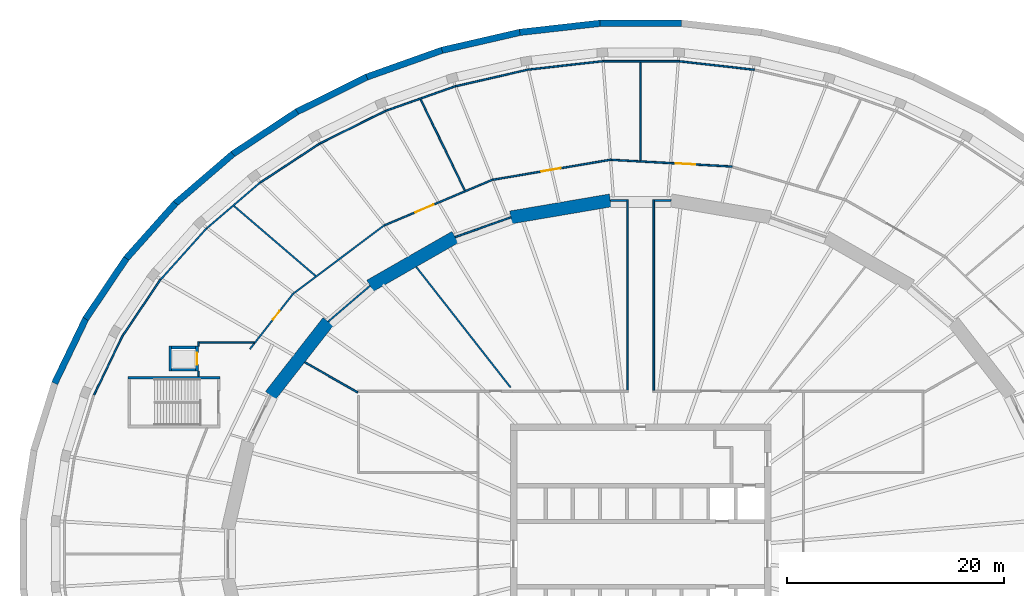
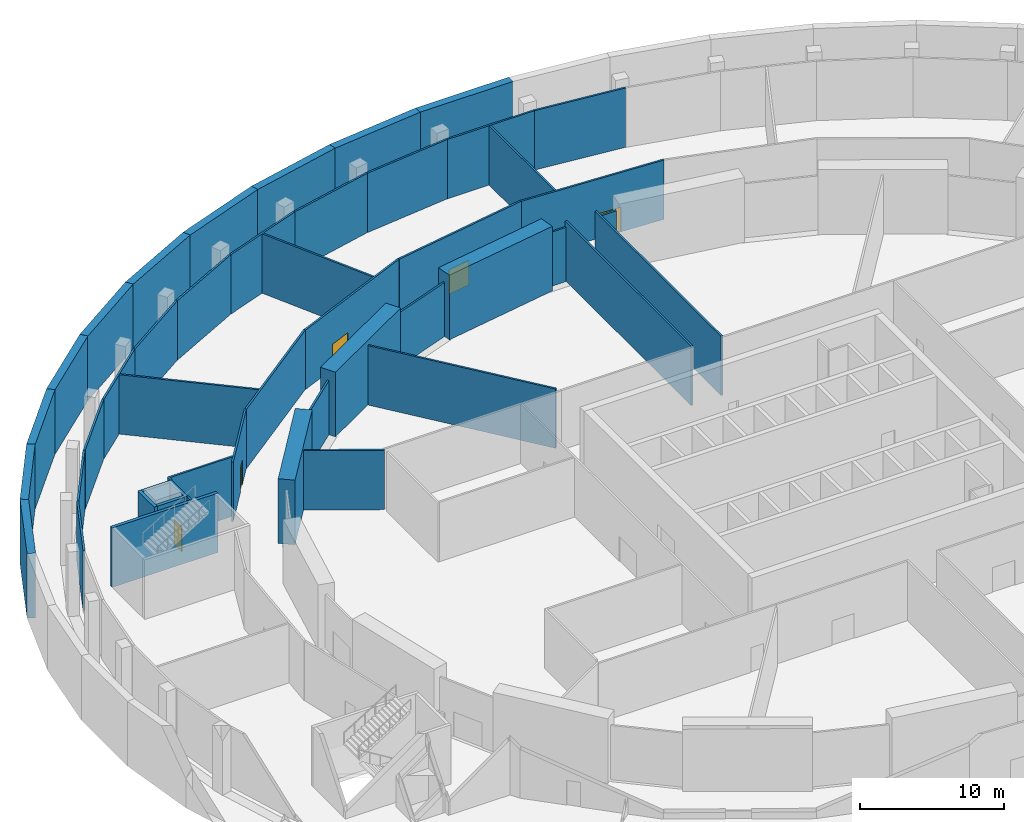
# One storey, part 10 of 14: 48 walls, 5 doors, 5 openings.
"""IFC4 building model written with IfcOpenShell, lengths in metres."""

from ifc_helpers import new_model, si_unit, direction, frame, frame_2d, origin, place, context, subcontext, project, spatial, polyline, rectangle, outline, extrude, material, layer, layer_set, type_object, element, fill, save


model = new_model("IFC4")

# Units and contexts
model_context = context("Model", 3, precision=1e-05, world=origin(), true_north=direction((0.0, 1.0)))
body_context = subcontext(model_context, "Body", "Model", "MODEL_VIEW")
ifc_project = project(units=[si_unit("LENGTHUNIT", "METRE"), si_unit("AREAUNIT", "SQUARE_METRE"), si_unit("VOLUMEUNIT", "CUBIC_METRE"), si_unit("PLANEANGLEUNIT", "RADIAN"), si_unit("MASSUNIT", "GRAM", prefix="KILO")], contexts=[model_context])

# Site, building, storey
site_placement = place(None, origin())
site = spatial("IfcSite", under=ifc_project, at=site_placement, CompositionType="ELEMENT")
building_placement = place(site_placement, origin())
building = spatial("IfcBuilding", under=site, at=building_placement, Name="Halqa Exchange Tower", CompositionType="ELEMENT")
storey_placement = place(building_placement, frame((0.0, 0.0, -9.5)))
storey = spatial("IfcBuildingStorey", under=building, at=storey_placement, Name="B2", CompositionType="ELEMENT", Elevation=-9.5)

# Walls
ifc_material_1 = material(Name="Fire-rated gypsum board")
ifc_layer_1 = layer(ifc_material_1, 0.14990234375)
ifc_layer_set_1 = layer_set([ifc_layer_1], Name="Fire-rated gypsum board")
wall_type_1 = type_object("IfcWallType", Name="Fire partition EI 60 150", PredefinedType="PARTITIONING", material=ifc_layer_set_1)
wall_1_placement = place(storey_placement, frame((-50.351806640625, 14.669189453125, 0.0), z_axis=(0.0, 0.0, 1.0), x_axis=(0.434723306584, 0.900564071409, 0.0)))
element("IfcWall", 1, at=wall_1_placement, inside=storey, type_object=wall_type_1, Name="B2-PWL-006", PredefinedType="PARTITIONING", context=body_context, shape_type="SweptSolid", body=[
    extrude(rectangle(XDim=6.09619140625, YDim=0.14990234375, at=frame_2d((3.048095703125, 0.0))), origin(), (0.0, 0.0, 1.0), 5.050048828125),
])
wall_2_placement = place(storey_placement, frame((-47.69091796875, 20.153076171875, 0.0), z_axis=(0.0, 0.0, 1.0), x_axis=(0.558812320082, 0.829294152231, 0.0)))
element("IfcWall", 2, at=wall_2_placement, inside=storey, type_object=wall_type_1, Name="B2-PWL-007", PredefinedType="PARTITIONING", context=body_context, shape_type="SweptSolid", body=[
    extrude(rectangle(XDim=6.2099609375, YDim=0.14990234375, at=frame_2d((3.10498046875, 0.0))), origin(), (0.0, 0.0, 1.0), 5.050048828125),
])
wall_3_placement = place(storey_placement, frame((-44.211181640625, 25.29541015625, 0.0), z_axis=(0.0, 0.0, 1.0), x_axis=(0.6673947824, 0.744704105283, 0.0)))
element("IfcWall", 3, at=wall_3_placement, inside=storey, type_object=wall_type_1, Name="B2-PWL-010", PredefinedType="PARTITIONING", context=body_context, shape_type="SweptSolid", body=[
    extrude(rectangle(XDim=6.338134765625, YDim=0.14990234375, at=frame_2d((3.1689453125, 0.0))), origin(), (0.0, 0.0, 1.0), 5.050048828125),
])
wall_4_placement = place(storey_placement, frame((-40.75, 16.3740234375, 0.0), z_axis=(0.0, 0.0, 1.0), x_axis=(0.0, 1.0, 0.0)))
element("IfcWall", 4, at=wall_4_placement, inside=storey, type_object=wall_type_1, Name="B2-PWL-017", PredefinedType="PARTITIONING", context=body_context, shape_type="SweptSolid", body=[
    extrude(rectangle(XDim=0.47607421875, YDim=0.14990234375, at=frame_2d((0.238037109375, 0.0))), origin(), (0.0, 0.0, 1.0), 5.050048828125),
])
wall_5_placement = place(storey_placement, frame((-40.75, 19.14990234375, 0.0), z_axis=(0.0, 0.0, 1.0), x_axis=(0.0, 1.0, 0.0)))
element("IfcWall", 5, at=wall_5_placement, inside=storey, type_object=wall_type_1, Name="B2-PWL-018", PredefinedType="PARTITIONING", context=body_context, shape_type="SweptSolid", body=[
    extrude(rectangle(XDim=0.425048828125, YDim=0.14990234375, at=frame_2d((0.21240234375, 0.0))), origin(), (0.0, 0.0, 1.0), 5.050048828125),
])
wall_6_placement = place(storey_placement, frame((-40.675048828125, 19.5, 0.0), z_axis=(0.0, 0.0, 1.0), x_axis=(1.0, 0.0, 0.0)))
element("IfcWall", 6, at=wall_6_placement, inside=storey, type_object=wall_type_1, Name="B2-PWL-019", PredefinedType="PARTITIONING", context=body_context, shape_type="SweptSolid", body=[
    extrude(rectangle(XDim=5.068115234375, YDim=0.14990234375, at=frame_2d((2.5341796875, 0.0))), origin(), (0.0, 0.0, 1.0), 5.050048828125),
])
wall_7_placement = place(storey_placement, frame((-39.97314453125, 30.00732421875, 0.0), z_axis=(0.0, 0.0, 1.0), x_axis=(0.759038455419, 0.651045791934, 0.0)))
element("IfcWall", 7, at=wall_7_placement, inside=storey, type_object=wall_type_1, Name="B2-PWL-022", PredefinedType="PARTITIONING", context=body_context, shape_type="SweptSolid", body=[
    extrude(rectangle(XDim=6.479248046875, YDim=0.14990234375, at=frame_2d((3.23974609375, 0.0))), origin(), (0.0, 0.0, 1.0), 5.050048828125),
])

# Wall, opening, door
wall_8_placement = place(storey_placement, frame((-35.99609375, 18.880859375, 0.0), z_axis=(0.0, 0.0, 1.0), x_axis=(0.615457986142, 0.788169694478, 0.0)))
wall_8 = element("IfcWall", 8, at=wall_8_placement, inside=storey, type_object=wall_type_1, Name="B2-PWL-028", PredefinedType="PARTITIONING", context=body_context, shape_type="SweptSolid", body=[
    extrude(rectangle(XDim=6.544921875, YDim=0.14990234375, at=frame_2d((3.2724609375, 0.0))), origin(), (0.0, 0.0, 1.0), 5.050048828125),
])
opening_1_placement = place(wall_8_placement, frame((3.453857421875, 0.0, 0.0)))
opening_1 = element("IfcOpeningElement", 9, at=opening_1_placement, cuts=wall_8, Name="Opening B2-27", PredefinedType="OPENING", context=body_context, shape_type="SweptSolid", body=[
    extrude(rectangle(XDim=1.0, YDim=2.10009765625, at=frame_2d((0.5, 1.050048828125))), frame((0.0, 0.0869140625, 0.0), z_axis=(0.0, -1.0, 0.0), x_axis=(1.0, 0.0, 0.0)), (0.0, 0.0, 1.0), 0.173828125),
])
ifc_material_2 = material(Name="Steel fire door leaf", Category="steel")
door_type_1 = type_object("IfcDoorType", Name="Fire door FD30S 1000 x 2100", OperationType="SINGLE_SWING_LEFT", PredefinedType="DOOR", material=ifc_material_2)
door_1_placement = place(opening_1_placement, origin())
door_1 = element("IfcDoor", 10, at=door_1_placement, inside=storey, type_object=door_type_1, Name="B2-IDR-027", OperationType="SINGLE_SWING_RIGHT", OverallHeight=2.10009765625, OverallWidth=1.0, PredefinedType="DOOR", context=body_context, shape_type="SweptSolid", body=[
    extrude(rectangle(XDim=1.0, YDim=2.10009765625, at=frame_2d((0.5, 1.050048828125))), frame((0.0, 0.02490234375, 0.0), z_axis=(0.0, -1.0, 0.0), x_axis=(1.0, 0.0, 0.0)), (0.0, 0.0, 1.0), 0.050048828125),
])
fill(opening_1, door_1)

# Walls
wall_9_placement = place(storey_placement, frame((-35.048583984375, 34.217041015625, 0.0), z_axis=(0.0, 0.0, 1.0), x_axis=(0.83553583791, 0.549435950378, 0.0)))
element("IfcWall", 11, at=wall_9_placement, inside=storey, type_object=wall_type_1, Name="B2-PWL-030", PredefinedType="PARTITIONING", context=body_context, shape_type="SweptSolid", body=[
    extrude(rectangle(XDim=6.6064453125, YDim=0.14990234375, at=frame_2d((3.30322265625, 0.0))), origin(), (0.0, 0.0, 1.0), 5.050048828125),
])
wall_10_placement = place(storey_placement, frame((-31.947265625, 24.022216796875, 0.0), z_axis=(0.0, 0.0, 1.0), x_axis=(0.799194171191, 0.601072937949, 0.0)))
element("IfcWall", 12, at=wall_10_placement, inside=storey, type_object=wall_type_1, Name="B2-PWL-032", PredefinedType="PARTITIONING", context=body_context, shape_type="SweptSolid", body=[
    extrude(rectangle(XDim=10.443603515625, YDim=0.14990234375, at=frame_2d((5.2216796875, 0.0))), origin(), (0.0, 0.0, 1.0), 5.050048828125),
])
wall_11_placement = place(storey_placement, frame((-29.947265625, 25.619140625, 0.0), z_axis=(0.0, 0.0, 1.0), x_axis=(-0.759265306208, 0.650781218836, 0.0)))
element("IfcWall", 13, at=wall_11_placement, inside=storey, type_object=wall_type_1, Name="B2-PWL-034", PredefinedType="PARTITIONING", context=body_context, shape_type="SweptSolid", body=[
    extrude(outline(polyline([(-0.0166015625, -0.074951171875), (9.888427734375, -0.074951171875), (9.911376953125, 0.074951171875), (0.0166015625, 0.074951171875), (-0.0166015625, -0.074951171875)])), origin(), (0.0, 0.0, 1.0), 5.050048828125),
])
wall_12_placement = place(storey_placement, frame((-29.5234375, 37.837890625, 0.0), z_axis=(0.0, 0.0, 1.0), x_axis=(0.895909442692, 0.444236727991, 0.0)))
element("IfcWall", 14, at=wall_12_placement, inside=storey, type_object=wall_type_1, Name="B2-PWL-036", PredefinedType="PARTITIONING", context=body_context, shape_type="SweptSolid", body=[
    extrude(rectangle(XDim=6.730712890625, YDim=0.14990234375, at=frame_2d((3.365234375, 0.0))), origin(), (0.0, 0.0, 1.0), 5.050048828125),
])
wall_13_placement = place(storey_placement, frame((-26.07421875, 14.88232421875, 0.0), z_axis=(0.0, 0.0, 1.0), x_axis=(-0.868133416031, 0.496330909746, 0.0)))
element("IfcWall", 15, at=wall_13_placement, inside=storey, type_object=wall_type_1, Name="B2-PWL-043", PredefinedType="PARTITIONING", context=body_context, shape_type="SweptSolid", body=[
    extrude(outline(polyline([(0.0, -0.074951171875), (5.604248046875, -0.074951171875), (5.625732421875, 0.074951171875), (0.0, 0.074951171875), (0.0, -0.074951171875)])), origin(), (0.0, 0.0, 1.0), 5.050048828125),
])
wall_14_placement = place(storey_placement, frame((-24.931884765625, 24.70849609375, 0.0), z_axis=(0.0, 0.0, 1.0), x_axis=(-0.760084552743, -0.649824185978, 0.0)))
element("IfcWall", 16, at=wall_14_placement, inside=storey, type_object=wall_type_1, Name="B2-PWL-045", PredefinedType="PARTITIONING", context=body_context, shape_type="SweptSolid", body=[
    extrude(outline(polyline([(-0.01416015625, -0.074951171875), (5.09033203125, -0.074951171875), (5.0595703125, 0.074951171875), (0.01416015625, 0.074951171875), (-0.01416015625, -0.074951171875)])), origin(), (0.0, 0.0, 1.0), 4.60009765625),
])

# Wall, opening, door
wall_15_placement = place(storey_placement, frame((-23.58642578125, 30.279541015625, 0.0), z_axis=(0.0, 0.0, 1.0), x_axis=(0.920903415875, 0.389790839591, 0.0)))
wall_15 = element("IfcWall", 17, at=wall_15_placement, inside=storey, type_object=wall_type_1, Name="B2-PWL-046", PredefinedType="PARTITIONING", context=body_context, shape_type="SweptSolid", body=[
    extrude(rectangle(XDim=10.822998046875, YDim=0.14990234375, at=frame_2d((5.41162109375, 0.0))), origin(), (0.0, 0.0, 1.0), 5.050048828125),
])
opening_2_placement = place(wall_15_placement, frame((3.09130859375, 0.0, 0.0)))
opening_2 = element("IfcOpeningElement", 18, at=opening_2_placement, cuts=wall_15, Name="Opening B2-26", PredefinedType="OPENING", context=body_context, shape_type="SweptSolid", body=[
    extrude(rectangle(XDim=1.800048828125, YDim=2.10009765625, at=frame_2d((0.89990234375, 1.050048828125))), frame((0.0, 0.0869140625, 0.0), z_axis=(0.0, -1.0, 0.0), x_axis=(1.0, 0.0, 0.0)), (0.0, 0.0, 1.0), 0.173828125),
])
door_type_2 = type_object("IfcDoorType", Name="Fire door FD30S double 1800 x 2100", OperationType="DOUBLE_DOOR_SINGLE_SWING", PredefinedType="DOOR", material=ifc_material_2)
door_2_placement = place(opening_2_placement, frame((1.800048828125, 0.0, 0.0), z_axis=(0.0, 0.0, 1.0), x_axis=(-1.0, 0.0, 0.0)))
door_2 = element("IfcDoor", 19, at=door_2_placement, inside=storey, type_object=door_type_2, Name="B2-IDR-026", OperationType="DOUBLE_DOOR_SINGLE_SWING", OverallHeight=2.10009765625, OverallWidth=1.800048828125, PredefinedType="DOOR", context=body_context, shape_type="SweptSolid", body=[
    extrude(rectangle(XDim=1.800048828125, YDim=2.10009765625, at=frame_2d((0.89990234375, 1.050048828125))), frame((0.0, 0.02490234375, 0.0), z_axis=(0.0, -1.0, 0.0), x_axis=(1.0, 0.0, 0.0)), (0.0, 0.0, 1.0), 0.050048828125),
])
fill(opening_2, door_2)

# Walls
wall_16_placement = place(storey_placement, frame((-23.489501953125, 40.818603515625, 0.0), z_axis=(0.0, 0.0, 1.0), x_axis=(0.942678523295, 0.333702265079, 0.0)))
element("IfcWall", 20, at=wall_16_placement, inside=storey, type_object=wall_type_1, Name="B2-PWL-049", PredefinedType="PARTITIONING", context=body_context, shape_type="SweptSolid", body=[
    extrude(rectangle(XDim=6.831787109375, YDim=0.14990234375, at=frame_2d((3.416015625, 0.0))), origin(), (0.0, 0.0, 1.0), 5.050048828125),
])
wall_17_placement = place(storey_placement, frame((-20.679931640625, 26.449951171875, 0.0), z_axis=(0.0, 0.0, 1.0), x_axis=(0.616465586388, -0.787381851962, 0.0)))
element("IfcWall", 21, at=wall_17_placement, inside=storey, type_object=wall_type_1, Name="B2-PWL-051", PredefinedType="PARTITIONING", context=body_context, shape_type="SweptSolid", body=[
    extrude(outline(polyline([(-0.010986328125, -0.074951171875), (14.099853515625, -0.074951171875), (14.099853515625, 0.074951171875), (0.010986328125, 0.074951171875), (-0.010986328125, -0.074951171875)])), origin(), (0.0, 0.0, 1.0), 5.050048828125),
])
wall_18_placement = place(storey_placement, frame((-17.046630859375, 43.089111328125, 0.0), z_axis=(0.0, 0.0, 1.0), x_axis=(0.974487031509, 0.224443813504, 0.0)))
element("IfcWall", 22, at=wall_18_placement, inside=storey, type_object=wall_type_1, Name="B2-PWL-054", PredefinedType="PARTITIONING", context=body_context, shape_type="SweptSolid", body=[
    extrude(rectangle(XDim=6.90625, YDim=0.14990234375, at=frame_2d((3.453125, 0.0))), origin(), (0.0, 0.0, 1.0), 5.050048828125),
])
wall_19_placement = place(storey_placement, frame((-16.201904296875, 33.485595703125, 0.0), z_axis=(0.0, 0.0, 1.0), x_axis=(-0.435764801027, 0.900060574731, 0.0)))
element("IfcWall", 23, at=wall_19_placement, inside=storey, type_object=wall_type_1, Name="B2-PWL-057", PredefinedType="PARTITIONING", context=body_context, shape_type="SweptSolid", body=[
    extrude(outline(polyline([(-0.00390625, -0.074951171875), (9.31884765625, -0.074951171875), (9.33544921875, 0.074951171875), (0.00390625, 0.074951171875), (-0.00390625, -0.074951171875)])), origin(), (0.0, 0.0, 1.0), 5.050048828125),
])

# Wall, opening, door
wall_20_placement = place(storey_placement, frame((-13.61083984375, 34.476806640625, 0.0), z_axis=(0.0, 0.0, 1.0), x_axis=(0.985800134635, 0.16792288276, 0.0)))
wall_20 = element("IfcWall", 24, at=wall_20_placement, inside=storey, type_object=wall_type_1, Name="B2-PWL-060", PredefinedType="PARTITIONING", context=body_context, shape_type="SweptSolid", body=[
    extrude(rectangle(XDim=11.07421875, YDim=0.14990234375, at=frame_2d((5.537109375, 0.0))), origin(), (0.0, 0.0, 1.0), 5.050048828125),
])
opening_3_placement = place(wall_20_placement, frame((4.5380859375, 0.0, 0.0)))
opening_3 = element("IfcOpeningElement", 25, at=opening_3_placement, cuts=wall_20, Name="Opening B2-25", PredefinedType="OPENING", context=body_context, shape_type="SweptSolid", body=[
    extrude(rectangle(XDim=1.800048828125, YDim=2.10009765625, at=frame_2d((0.89990234375, 1.050048828125))), frame((0.0, 0.0869140625, 0.0), z_axis=(0.0, -1.0, 0.0), x_axis=(1.0, 0.0, 0.0)), (0.0, 0.0, 1.0), 0.173828125),
])
door_3_placement = place(opening_3_placement, origin())
door_3 = element("IfcDoor", 26, at=door_3_placement, inside=storey, type_object=door_type_2, Name="B2-IDR-025", OperationType="DOUBLE_DOOR_SINGLE_SWING", OverallHeight=2.10009765625, OverallWidth=1.800048828125, PredefinedType="DOOR", context=body_context, shape_type="SweptSolid", body=[
    extrude(rectangle(XDim=1.800048828125, YDim=2.10009765625, at=frame_2d((0.89990234375, 1.050048828125))), frame((0.0, 0.02490234375, 0.0), z_axis=(0.0, -1.0, 0.0), x_axis=(1.0, 0.0, 0.0)), (0.0, 0.0, 1.0), 0.050048828125),
])
fill(opening_3, door_3)

# Walls
wall_21_placement = place(storey_placement, frame((-11.966796875, 31.01123046875, 0.0), z_axis=(0.0, 0.0, 1.0), x_axis=(-0.942814385805, -0.333318217204, 0.0)))
element("IfcWall", 27, at=wall_21_placement, inside=storey, type_object=wall_type_1, Name="B2-PWL-061", PredefinedType="PARTITIONING", context=body_context, shape_type="SweptSolid", body=[
    extrude(outline(polyline([(-0.012939453125, -0.074951171875), (5.448486328125, -0.074951171875), (5.421142578125, 0.074951171875), (0.012939453125, 0.074951171875), (-0.012939453125, -0.074951171875)])), origin(), (0.0, 0.0, 1.0), 4.60009765625),
])
wall_22_placement = place(storey_placement, frame((-10.31494140625, 44.629638671875, 0.0), z_axis=(0.0, 0.0, 1.0), x_axis=(0.993688681101, 0.112173103067, 0.0)))
element("IfcWall", 28, at=wall_22_placement, inside=storey, type_object=wall_type_1, Name="B2-PWL-064", PredefinedType="PARTITIONING", context=body_context, shape_type="SweptSolid", body=[
    extrude(rectangle(XDim=6.953857421875, YDim=0.14990234375, at=frame_2d((3.47705078125, 0.0))), origin(), (0.0, 0.0, 1.0), 5.050048828125),
])
wall_23_placement = place(storey_placement, frame((-3.404541015625, 45.39990234375, 0.0), z_axis=(0.0, 0.0, 1.0), x_axis=(1.0, 0.0, 0.0)))
element("IfcWall", 29, at=wall_23_placement, inside=storey, type_object=wall_type_1, Name="B2-PWL-068", PredefinedType="PARTITIONING", context=body_context, shape_type="SweptSolid", body=[
    extrude(rectangle(XDim=6.97998046875, YDim=0.14990234375, at=frame_2d((3.489990234375, 0.0))), origin(), (0.0, 0.0, 1.0), 5.050048828125),
])

# Wall, opening, door
wall_24_placement = place(storey_placement, frame((-2.691162109375, 36.314453125, 0.0), z_axis=(0.0, 0.0, 1.0), x_axis=(0.998446820284, -0.055713078034, 0.0)))
wall_24 = element("IfcWall", 30, at=wall_24_placement, inside=storey, type_object=wall_type_1, Name="B2-PWL-070", PredefinedType="PARTITIONING", context=body_context, shape_type="SweptSolid", body=[
    extrude(rectangle(XDim=11.126220703125, YDim=0.14990234375, at=frame_2d((5.56298828125, 0.0))), origin(), (0.0, 0.0, 1.0), 5.050048828125),
])
opening_4_placement = place(wall_24_placement, frame((5.94677734375, 0.0, 0.0)))
opening_4 = element("IfcOpeningElement", 31, at=opening_4_placement, cuts=wall_24, Name="Opening B2-24", PredefinedType="OPENING", context=body_context, shape_type="SweptSolid", body=[
    extrude(rectangle(XDim=1.800048828125, YDim=2.10009765625, at=frame_2d((0.89990234375, 1.050048828125))), frame((0.0, 0.0869140625, 0.0), z_axis=(0.0, -1.0, 0.0), x_axis=(1.0, 0.0, 0.0)), (0.0, 0.0, 1.0), 0.173828125),
])
door_4_placement = place(opening_4_placement, origin())
door_4 = element("IfcDoor", 32, at=door_4_placement, inside=storey, type_object=door_type_2, Name="B2-IDR-024", OperationType="DOUBLE_DOOR_SINGLE_SWING", OverallHeight=2.10009765625, OverallWidth=1.800048828125, PredefinedType="DOOR", context=body_context, shape_type="SweptSolid", body=[
    extrude(rectangle(XDim=1.800048828125, YDim=2.10009765625, at=frame_2d((0.89990234375, 1.050048828125))), frame((0.0, 0.02490234375, 0.0), z_axis=(0.0, -1.0, 0.0), x_axis=(1.0, 0.0, 0.0)), (0.0, 0.0, 1.0), 0.050048828125),
])
fill(opening_4, door_4)

# Walls
wall_25_placement = place(storey_placement, frame((-1.199951171875, 15.074951171875, 0.0), z_axis=(0.0, 0.0, 1.0), x_axis=(0.0, 1.0, 0.0)))
element("IfcWall", 33, at=wall_25_placement, inside=storey, type_object=wall_type_1, Name="B2-PWL-073", PredefinedType="PARTITIONING", context=body_context, shape_type="SweptSolid", body=[
    extrude(rectangle(XDim=17.570068359375, YDim=0.14990234375, at=frame_2d((8.78515625, 0.0))), origin(), (0.0, 0.0, 1.0), 5.050048828125),
])
wall_26_placement = place(storey_placement, frame((-1.27490234375, 32.570068359375, 0.0), z_axis=(0.0, 0.0, 1.0), x_axis=(-1.0, 0.0, 0.0)))
element("IfcWall", 34, at=wall_26_placement, inside=storey, type_object=wall_type_1, Name="B2-PWL-074", PredefinedType="PARTITIONING", context=body_context, shape_type="SweptSolid", body=[
    extrude(outline(polyline([(0.0, -0.074951171875), (1.52587890625, -0.074951171875), (1.50048828125, 0.074951171875), (0.0, 0.074951171875), (0.0, -0.074951171875)])), origin(), (0.0, 0.0, 1.0), 4.60009765625),
])
wall_27_placement = place(storey_placement, frame((0.0, 36.238525390625, 0.0), z_axis=(0.0, 0.0, 1.0), x_axis=(0.0, 1.0, 0.0)))
element("IfcWall", 35, at=wall_27_placement, inside=storey, type_object=wall_type_1, Name="B2-PWL-076", PredefinedType="PARTITIONING", context=body_context, shape_type="SweptSolid", body=[
    extrude(outline(polyline([(-0.004150390625, -0.074951171875), (9.08642578125, -0.074951171875), (9.08642578125, 0.074951171875), (0.004150390625, 0.074951171875), (-0.004150390625, -0.074951171875)])), origin(), (0.0, 0.0, 1.0), 5.050048828125),
])
wall_28_placement = place(storey_placement, frame((1.199951171875, 32.64501953125, 0.0), z_axis=(0.0, 0.0, 1.0), x_axis=(0.0, -1.0, 0.0)))
element("IfcWall", 36, at=wall_28_placement, inside=storey, type_object=wall_type_1, Name="B2-PWL-081", PredefinedType="PARTITIONING", context=body_context, shape_type="SweptSolid", body=[
    extrude(rectangle(XDim=17.570068359375, YDim=0.14990234375, at=frame_2d((8.78515625, 0.0))), origin(), (0.0, 0.0, 1.0), 5.050048828125),
])
wall_29_placement = place(storey_placement, frame((2.7880859375, 32.570068359375, 0.0), z_axis=(0.0, 0.0, 1.0), x_axis=(-1.0, 0.0, 0.0)))
element("IfcWall", 37, at=wall_29_placement, inside=storey, type_object=wall_type_1, Name="B2-PWL-082", PredefinedType="PARTITIONING", context=body_context, shape_type="SweptSolid", body=[
    extrude(outline(polyline([(-0.0126953125, -0.074951171875), (1.51318359375, -0.074951171875), (1.51318359375, 0.074951171875), (0.0126953125, 0.074951171875), (-0.0126953125, -0.074951171875)])), origin(), (0.0, 0.0, 1.0), 4.60009765625),
])
wall_30_placement = place(storey_placement, frame((3.574951171875, 45.390380859375, 0.0), z_axis=(0.0, 0.0, 1.0), x_axis=(0.993689122847, -0.112169189779, 0.0)))
element("IfcWall", 38, at=wall_30_placement, inside=storey, type_object=wall_type_1, Name="B2-PWL-083", PredefinedType="PARTITIONING", context=body_context, shape_type="SweptSolid", body=[
    extrude(rectangle(XDim=6.9541015625, YDim=0.14990234375, at=frame_2d((3.47705078125, 0.0))), origin(), (0.0, 0.0, 1.0), 5.050048828125),
])
ifc_material_3 = material(Name="Gypsum board")
ifc_layer_2 = layer(ifc_material_3, 0.25)
ifc_layer_set_2 = layer_set([ifc_layer_2], Name="Gypsum board")
wall_type_2 = type_object("IfcWallType", Name="Penthouse riser wall 250 gypsum", PredefinedType="PARTITIONING", material=ifc_layer_set_2)
wall_31_placement = place(storey_placement, frame((-43.324951171875, 16.85009765625, 0.0), z_axis=(0.0, 0.0, 1.0), x_axis=(0.0, 1.0, 0.0)))
element("IfcWall", 39, at=wall_31_placement, inside=storey, type_object=wall_type_2, Name="Station lift AL3 wall west", PredefinedType="PARTITIONING", context=body_context, shape_type="SweptSolid", body=[
    extrude(rectangle(XDim=2.2998046875, YDim=0.25, at=frame_2d((1.14990234375, 0.0))), origin(), (0.0, 0.0, 1.0), 5.050048828125),
])

# Wall, opening, door
wall_32_placement = place(storey_placement, frame((-40.875, 16.85009765625, 0.0), z_axis=(0.0, 0.0, 1.0), x_axis=(0.0, 1.0, 0.0)))
wall_32 = element("IfcWall", 40, at=wall_32_placement, inside=storey, type_object=wall_type_2, Name="Station lift AL3 wall east", PredefinedType="PARTITIONING", context=body_context, shape_type="SweptSolid", body=[
    extrude(rectangle(XDim=2.2998046875, YDim=0.25, at=frame_2d((1.14990234375, 0.0))), origin(), (0.0, 0.0, 1.0), 5.050048828125),
])
opening_5_placement = place(wall_32_placement, frame((0.60009765625, 0.0, 0.0)))
opening_5 = element("IfcOpeningElement", 41, at=opening_5_placement, cuts=wall_32, Name="Opening LD-AL3-B2", PredefinedType="OPENING", context=body_context, shape_type="SweptSolid", body=[
    extrude(rectangle(XDim=1.10009765625, YDim=2.10009765625, at=frame_2d((0.550048828125, 1.050048828125))), frame((0.0, 0.136962890625, 0.0), z_axis=(0.0, -1.0, 0.0), x_axis=(1.0, 0.0, 0.0)), (0.0, 0.0, 1.0), 0.27392578125),
])
ifc_material_4 = material(Name="Stainless steel", Category="steel")
door_type_3 = type_object("IfcDoorType", Name="Lift landing door 1100 x 2100", OperationType="SLIDING_TO_LEFT", PredefinedType="DOOR", material=ifc_material_4)
door_5_placement = place(opening_5_placement, origin())
door_5 = element("IfcDoor", 42, at=door_5_placement, inside=storey, type_object=door_type_3, Name="Lift landing door AL3", OperationType="SLIDING_TO_LEFT", OverallHeight=2.10009765625, OverallWidth=1.10009765625, PredefinedType="DOOR", context=body_context, shape_type="SweptSolid", body=[
    extrude(rectangle(XDim=1.10009765625, YDim=2.10009765625, at=frame_2d((0.550048828125, 1.050048828125))), frame((0.0, 0.02490234375, 0.0), z_axis=(0.0, -1.0, 0.0), x_axis=(1.0, 0.0, 0.0)), (0.0, 0.0, 1.0), 0.050048828125),
])
fill(opening_5, door_5)

# Walls
for number, where, z_axis, x_axis, name in (
    (43, (-43.199951171875, 19.02490234375, 0.0), (0.0, 0.0, 1.0), (1.0, 0.0, 0.0), "Station lift AL3 wall north"),
    (44, (-43.199951171875, 16.97509765625, 0.0), (0.0, 0.0, 1.0), (1.0, 0.0, 0.0), "Station lift AL3 wall south"),
):
    element("IfcWall", number, at=place(storey_placement, frame(where, z_axis=z_axis, x_axis=x_axis)), inside=storey, type_object=wall_type_2, Name=name, PredefinedType="PARTITIONING", context=body_context, shape_type="SweptSolid", body=[
        extrude(rectangle(XDim=2.199951171875, YDim=0.25, at=frame_2d((1.10009765625, 0.0))), origin(), (0.0, 0.0, 1.0), 5.050048828125),
    ])
ifc_material_5 = material(Name="Concrete C40/50", Category="concrete")
ifc_layer_3 = layer(ifc_material_5, 0.60009765625)
ifc_layer_set_3 = layer_set([ifc_layer_3], Name="Concrete C40/50")
wall_type_3 = type_object("IfcWallType", Name="RC basement wall 600", PredefinedType="SOLIDWALL", material=ifc_layer_set_3)
wall_33_placement = place(storey_placement, frame((3.744873046875, 48.89501953125, 0.0), z_axis=(0.0, 0.0, 1.0), x_axis=(-1.0, 0.0, 0.0)))
element("IfcWall", 45, at=wall_33_placement, inside=storey, type_object=wall_type_3, Name="Basement retaining wall", PredefinedType="SOLIDWALL", context=body_context, shape_type="SweptSolid", body=[
    extrude(rectangle(XDim=7.48974609375, YDim=0.60009765625, at=frame_2d((3.744873046875, 0.0))), origin(), (0.0, 0.0, 1.0), 5.5),
])
wall_34_placement = place(storey_placement, frame((-3.711181640625, 48.89697265625, 0.0), z_axis=(0.0, 0.0, 1.0), x_axis=(-0.993658203282, -0.112442763445, 0.0)))
element("IfcWall", 46, at=wall_34_placement, inside=storey, type_object=wall_type_3, Name="Basement retaining wall", PredefinedType="SOLIDWALL", context=body_context, shape_type="SweptSolid", body=[
    extrude(rectangle(XDim=7.473388671875, YDim=0.60009765625, at=frame_2d((3.73681640625, 0.0))), origin(), (0.0, 0.0, 1.0), 5.5),
])
wall_35_placement = place(storey_placement, frame((-11.103515625, 48.062255859375, 0.0), z_axis=(0.0, 0.0, 1.0), x_axis=(-0.974485322097, -0.224451235276, 0.0)))
element("IfcWall", 47, at=wall_35_placement, inside=storey, type_object=wall_type_3, Name="Basement retaining wall", PredefinedType="SOLIDWALL", context=body_context, shape_type="SweptSolid", body=[
    extrude(rectangle(XDim=7.4248046875, YDim=0.60009765625, at=frame_2d((3.71240234375, 0.0))), origin(), (0.0, 0.0, 1.0), 5.5),
])
wall_36_placement = place(storey_placement, frame((-18.3056640625, 46.405517578125, 0.0), z_axis=(0.0, 0.0, 1.0), x_axis=(-0.942060991409, -0.33544163198, 0.0)))
element("IfcWall", 48, at=wall_36_placement, inside=storey, type_object=wall_type_3, Name="Basement retaining wall", PredefinedType="SOLIDWALL", context=body_context, shape_type="SweptSolid", body=[
    extrude(rectangle(XDim=7.347412109375, YDim=0.60009765625, at=frame_2d((3.673828125, 0.0))), origin(), (0.0, 0.0, 1.0), 5.5),
])
wall_37_placement = place(storey_placement, frame((-25.194580078125, 43.95458984375, 0.0), z_axis=(0.0, 0.0, 1.0), x_axis=(-0.895750986496, -0.44455614965, 0.0)))
element("IfcWall", 49, at=wall_37_placement, inside=storey, type_object=wall_type_3, Name="Basement retaining wall", PredefinedType="SOLIDWALL", context=body_context, shape_type="SweptSolid", body=[
    extrude(rectangle(XDim=7.244873046875, YDim=0.60009765625, at=frame_2d((3.62255859375, 0.0))), origin(), (0.0, 0.0, 1.0), 5.5),
])
wall_38_placement = place(storey_placement, frame((-31.652099609375, 40.752197265625, 0.0), z_axis=(0.0, 0.0, 1.0), x_axis=(-0.834745196239, -0.550636411215, 0.0)))
element("IfcWall", 50, at=wall_38_placement, inside=storey, type_object=wall_type_3, Name="Basement retaining wall", PredefinedType="SOLIDWALL", context=body_context, shape_type="SweptSolid", body=[
    extrude(rectangle(XDim=7.123779296875, YDim=0.60009765625, at=frame_2d((3.56201171875, 0.0))), origin(), (0.0, 0.0, 1.0), 5.5),
])
wall_39_placement = place(storey_placement, frame((-37.568115234375, 36.8525390625, 0.0), z_axis=(0.0, 0.0, 1.0), x_axis=(-0.758319142722, -0.65188348482, 0.0)))
element("IfcWall", 51, at=wall_39_placement, inside=storey, type_object=wall_type_3, Name="Basement retaining wall", PredefinedType="SOLIDWALL", context=body_context, shape_type="SweptSolid", body=[
    extrude(rectangle(XDim=6.991455078125, YDim=0.60009765625, at=frame_2d((3.49560546875, 0.0))), origin(), (0.0, 0.0, 1.0), 5.5),
])
wall_40_placement = place(storey_placement, frame((-42.841796875, 32.32275390625, 0.0), z_axis=(0.0, 0.0, 1.0), x_axis=(-0.665894053378, -0.74604631872, 0.0)))
element("IfcWall", 52, at=wall_40_placement, inside=storey, type_object=wall_type_3, Name="Basement retaining wall", PredefinedType="SOLIDWALL", context=body_context, shape_type="SweptSolid", body=[
    extrude(rectangle(XDim=6.8564453125, YDim=0.60009765625, at=frame_2d((3.42822265625, 0.0))), origin(), (0.0, 0.0, 1.0), 5.5),
])
wall_41_placement = place(storey_placement, frame((-47.38232421875, 27.239990234375, 0.0), z_axis=(0.0, 0.0, 1.0), x_axis=(-0.557518861869, -0.830164272093, 0.0)))
element("IfcWall", 53, at=wall_41_placement, inside=storey, type_object=wall_type_3, Name="Basement retaining wall", PredefinedType="SOLIDWALL", context=body_context, shape_type="SweptSolid", body=[
    extrude(rectangle(XDim=6.728515625, YDim=0.60009765625, at=frame_2d((3.3642578125, 0.0))), origin(), (0.0, 0.0, 1.0), 5.5),
])
wall_42_placement = place(storey_placement, frame((-51.1123046875, 21.69140625, 0.0), z_axis=(0.0, 0.0, 1.0), x_axis=(-0.434104041315, -0.900862742772, 0.0)))
element("IfcWall", 54, at=wall_42_placement, inside=storey, type_object=wall_type_3, Name="Basement retaining wall", PredefinedType="SOLIDWALL", context=body_context, shape_type="SweptSolid", body=[
    extrude(rectangle(XDim=6.61669921875, YDim=0.60009765625, at=frame_2d((3.308349609375, 0.0))), origin(), (0.0, 0.0, 1.0), 5.5),
])
ifc_material_6 = material(Name="Concrete C80/95", Category="concrete")
ifc_layer_4 = layer(ifc_material_6, 1.199951171875)
ifc_layer_set_4 = layer_set([ifc_layer_4], Name="Concrete C80/95")
wall_type_4 = type_object("IfcWallType", Name="RC ring pier 1200 C80/95", PredefinedType="SHEAR", material=ifc_layer_set_4)
wall_43_placement = place(storey_placement, frame((-2.7880859375, 32.57421875, 0.0), z_axis=(0.0, 0.0, 1.0), x_axis=(-0.985776286846, -0.168062822456, 0.0)))
element("IfcWall", 55, at=wall_43_placement, inside=storey, type_object=wall_type_4, Name="Ring pier 5", PredefinedType="SHEAR", context=body_context, shape_type="SweptSolid", body=[
    extrude(rectangle(XDim=9.3115234375, YDim=1.199951171875, at=frame_2d((4.65576171875, 0.0))), origin(), (0.0, 0.0, 1.0), 5.5),
])
wall_44_placement = place(storey_placement, frame((-17.088623046875, 29.197509765625, 0.0), z_axis=(0.0, 0.0, 1.0), x_axis=(-0.867760656864, -0.496982336103, 0.0)))
element("IfcWall", 56, at=wall_44_placement, inside=storey, type_object=wall_type_4, Name="Ring pier 6", PredefinedType="SHEAR", context=body_context, shape_type="SweptSolid", body=[
    extrude(rectangle(XDim=9.037841796875, YDim=1.199951171875, at=frame_2d((4.51904296875, 0.0))), origin(), (0.0, 0.0, 1.0), 5.5),
])
wall_45_placement = place(storey_placement, frame((-28.790283203125, 21.412353515625, 0.0), z_axis=(0.0, 0.0, 1.0), x_axis=(-0.614825322247, -0.788663314174, 0.0)))
element("IfcWall", 57, at=wall_45_placement, inside=storey, type_object=wall_type_4, Name="Ring pier 7", PredefinedType="SHEAR", context=body_context, shape_type="SweptSolid", body=[
    extrude(rectangle(XDim=8.631591796875, YDim=1.199951171875, at=frame_2d((4.31591796875, 0.0))), origin(), (0.0, 0.0, 1.0), 5.5),
])
ifc_material_7 = material(Name="Concrete C30/37", Category="concrete")
ifc_layer_5 = layer(ifc_material_7, 0.25)
ifc_layer_set_5 = layer_set([ifc_layer_5], Name="Concrete C30/37")
wall_type_5 = type_object("IfcWallType", Name="RC stair wall 250 C30/37", PredefinedType="SHEAR", material=ifc_layer_set_5)
wall_46_placement = place(storey_placement, frame((-47.25, 16.25, 0.0), z_axis=(0.0, 0.0, 1.0), x_axis=(1.0, 0.0, 0.0)))
element("IfcWall", 58, at=wall_46_placement, inside=storey, type_object=wall_type_5, Name="Stair SS3 wall north", PredefinedType="SHEAR", context=body_context, shape_type="SweptSolid", body=[
    extrude(rectangle(XDim=8.5, YDim=0.25, at=frame_2d((4.25, 0.0))), origin(), (0.0, 0.0, 1.0), 5.050048828125),
])

save(model, "model.ifc")
